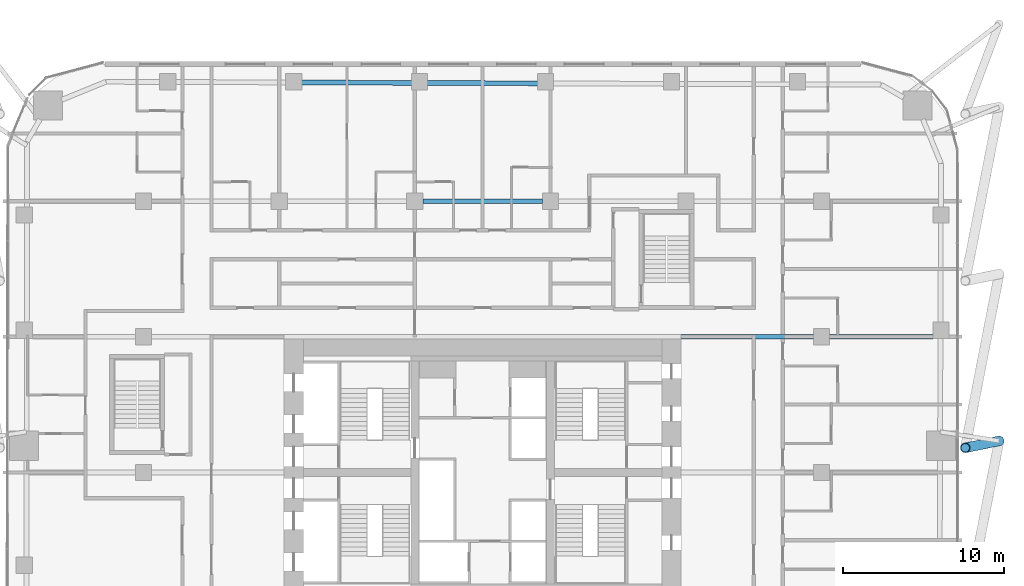
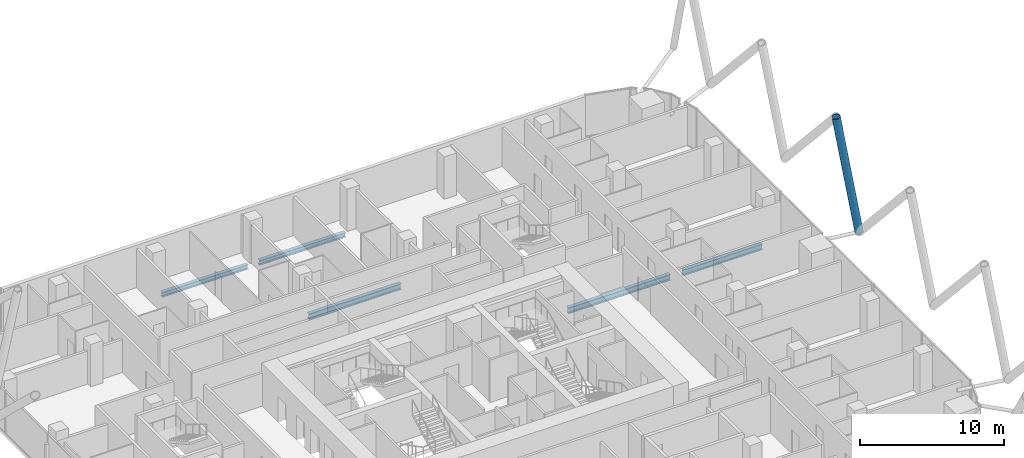
# One storey, part 12 of 36: 5 beams, 1 member.
"""IFC4 building model written with IfcOpenShell, lengths in metres."""

from ifc_helpers import new_model, si_unit, direction, frame, origin, origin_2d, place, context, subcontext, project, spatial, hollow_circle, i_section, extrude, material, material_profile, profile_set, type_object, element, save


model = new_model("IFC4")

# Units and contexts
model_context = context("Model", 3, precision=1e-05, world=origin(), true_north=direction((0.0, 1.0)))
body_context = subcontext(model_context, "Body", "Model", "MODEL_VIEW")
ifc_project = project(units=[si_unit("LENGTHUNIT", "METRE"), si_unit("AREAUNIT", "SQUARE_METRE"), si_unit("VOLUMEUNIT", "CUBIC_METRE"), si_unit("PLANEANGLEUNIT", "RADIAN"), si_unit("MASSUNIT", "GRAM", prefix="KILO")], contexts=[model_context])

# Site, building, storey
site_placement = place(None, origin())
site = spatial("IfcSite", under=ifc_project, at=site_placement, CompositionType="ELEMENT")
building_placement = place(site_placement, origin())
building = spatial("IfcBuilding", under=site, at=building_placement, Name="Marenta Gate Hotel Tower", CompositionType="ELEMENT")
storey_placement = place(building_placement, frame((0.0, 0.0, 83.300048828125)))
storey = spatial("IfcBuildingStorey", under=building, at=storey_placement, Name="L19", CompositionType="ELEMENT", Elevation=83.300048828125)

# Member
ifc_material_1 = material(Name="Steel S355J2W", Category="steel")
ifc_material_profile_1 = material_profile(ifc_material_1, hollow_circle(Radius=0.304931640625, WallThickness=0.0400390625, at=origin_2d()), Name="CHS 610x40")
ifc_profile_set_1 = profile_set([ifc_material_profile_1], Name="Steel S355J2W")
member_type = type_object("IfcMemberType", Name="Diagrid diagonal T1 CHS 610x40", PredefinedType="BRACE", material=ifc_profile_set_1)
member_placement = place(storey_placement, frame((32.0, 10.349853515625, 3.139892578125), z_axis=(-0.190731815435, -0.039046585327, 0.980865301025), x_axis=(0.200560207771, -0.979681378336, 0.0)))
element("IfcMember", 1, at=member_placement, inside=storey, type_object=member_type, Name="L19-DG-5", PredefinedType="BRACE", context=body_context, shape_type="SweptSolid", body=[
    extrude(hollow_circle(Radius=0.304931640625, WallThickness=0.0400390625, at=origin_2d()), origin(), (0.0, 0.0, 1.0), 11.0107421875),
])

# Beams
ifc_material_2 = material(Name="Steel S355", Category="steel")
ifc_material_profile_2 = material_profile(ifc_material_2, i_section(OverallWidth=0.300048828125, OverallDepth=0.39990234375, WebThickness=0.013427734375, FlangeThickness=0.02392578125, FilletRadius=0.027099609375, at=origin_2d()), Name="HEB 400")
ifc_profile_set_2 = profile_set([ifc_material_profile_2], Name="Steel S355")
beam_type_1 = type_object("IfcBeamType", Name="Edge beam HEB 400", PredefinedType="SPANDREL", material=ifc_profile_set_2)
for number, where, z_axis, x_axis, name in (
    (2, (-11.244140625, 32.554931640625, -0.4599609375), (0.999993064268, -0.003724435008, 0.0), (0.003724435008, 0.999993064268, 0.0), "L19-EB-15"),
    (3, (-3.44140625, 32.52587890625, -0.4599609375), (0.999993195747, -0.003688964684, 0.0), (0.003688964684, 0.999993195747, 0.0), "L19-EB-16"),
):
    element("IfcBeam", number, at=place(storey_placement, frame(where, z_axis=z_axis, x_axis=x_axis)), inside=storey, type_object=beam_type_1, Name=name, PredefinedType="SPANDREL", context=body_context, shape_type="SweptSolid", body=[
        extrude(i_section(OverallWidth=0.300048828125, OverallDepth=0.39990234375, WebThickness=0.013427734375, FlangeThickness=0.02392578125, FilletRadius=0.027099609375, at=origin_2d()), origin(), (0.0, 0.0, 1.0), 6.8828125),
    ])
ifc_material_3 = material(Name="Steel S355", Category="steel")
ifc_material_profile_3 = material_profile(ifc_material_3, i_section(OverallWidth=0.300048828125, OverallDepth=0.5, WebThickness=0.014404296875, FlangeThickness=0.028076171875, FilletRadius=0.027099609375, at=origin_2d()), Name="HEB 500")
ifc_profile_set_3 = profile_set([ifc_material_profile_3], Name="Steel S355")
beam_type_2 = type_object("IfcBeamType", Name="Girder HEB 500", PredefinedType="BEAM", material=ifc_profile_set_3)
beam_1_placement = place(storey_placement, frame((12.300048828125, 16.800048828125, -0.510009765625), z_axis=(1.0, 0.0, 0.0), x_axis=(0.0, 1.0, 0.0)))
element("IfcBeam", 4, at=beam_1_placement, inside=storey, type_object=beam_type_2, Name="L19-GD-20", PredefinedType="BEAM", context=body_context, shape_type="SweptSolid", body=[
    extrude(i_section(OverallWidth=0.300048828125, OverallDepth=0.5, WebThickness=0.014404296875, FlangeThickness=0.028076171875, FilletRadius=0.027099609375, at=origin_2d()), origin(), (0.0, 0.0, 1.0), 8.199951171875),
])
beam_2_placement = place(storey_placement, frame((21.5, 16.800048828125, -0.510009765625), z_axis=(1.0, 0.0, 0.0), x_axis=(0.0, 1.0, 0.0)))
element("IfcBeam", 5, at=beam_2_placement, inside=storey, type_object=beam_type_2, Name="L19-GD-21", PredefinedType="BEAM", context=body_context, shape_type="SweptSolid", body=[
    extrude(i_section(OverallWidth=0.300048828125, OverallDepth=0.5, WebThickness=0.014404296875, FlangeThickness=0.028076171875, FilletRadius=0.027099609375, at=origin_2d()), origin(), (0.0, 0.0, 1.0), 6.39990234375),
])
beam_3_placement = place(storey_placement, frame((-3.699951171875, 25.199951171875, -0.510009765625), z_axis=(1.0, 0.0, 0.0), x_axis=(0.0, 1.0, 0.0)))
element("IfcBeam", 6, at=beam_3_placement, inside=storey, type_object=beam_type_2, Name="L19-GD-25", PredefinedType="BEAM", context=body_context, shape_type="SweptSolid", body=[
    extrude(i_section(OverallWidth=0.300048828125, OverallDepth=0.5, WebThickness=0.014404296875, FlangeThickness=0.028076171875, FilletRadius=0.027099609375, at=origin_2d()), origin(), (0.0, 0.0, 1.0), 7.39990234375),
])

save(model, "model.ifc")
